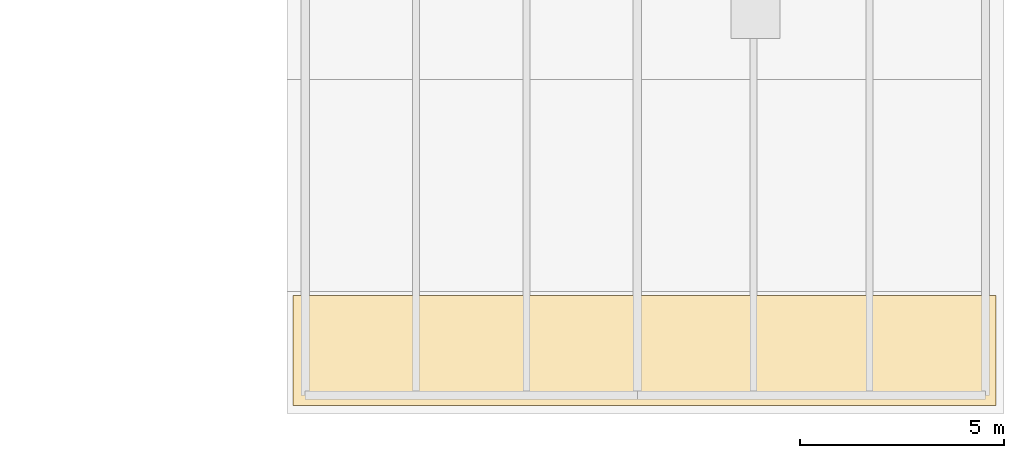
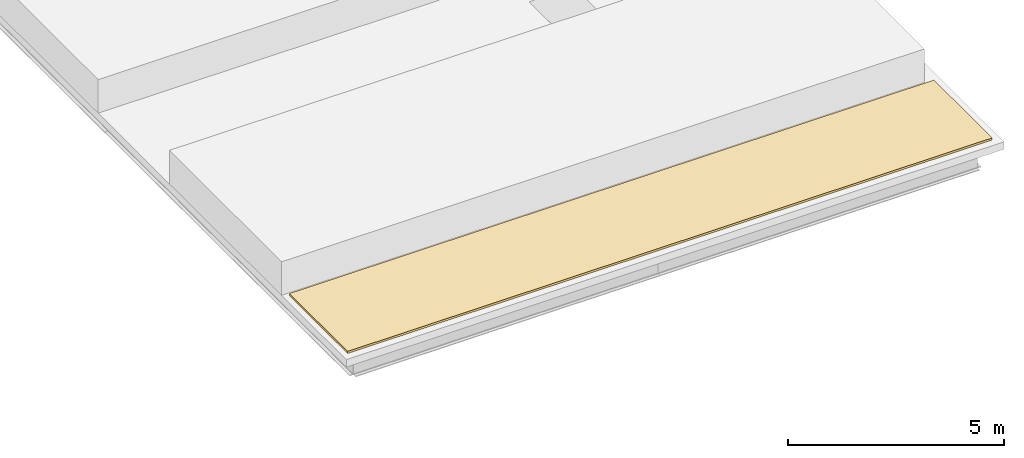
# One storey, part 30 of 30: 1 covering.
"""IFC4 building model written with IfcOpenShell, lengths in metres."""

from ifc_helpers import new_model, si_unit, direction, frame, origin, place, context, subcontext, project, spatial, polyline, outline, extrude, material, layer, layer_set, type_object, element, save


model = new_model("IFC4")

# Units and contexts
model_context = context("Model", 3, precision=1e-05, world=origin(), true_north=direction((0.0, 1.0)))
body_context = subcontext(model_context, "Body", "Model", "MODEL_VIEW")
ifc_project = project(units=[si_unit("LENGTHUNIT", "METRE"), si_unit("AREAUNIT", "SQUARE_METRE"), si_unit("VOLUMEUNIT", "CUBIC_METRE"), si_unit("PLANEANGLEUNIT", "RADIAN"), si_unit("MASSUNIT", "GRAM", prefix="KILO")], contexts=[model_context])

# Site, building, storey
site_placement = place(None, origin())
site = spatial("IfcSite", under=ifc_project, at=site_placement, CompositionType="ELEMENT")
building_placement = place(site_placement, origin())
building = spatial("IfcBuilding", under=site, at=building_placement, Name="Noeulbin Bourse Tower", CompositionType="ELEMENT")
storey_placement = place(building_placement, frame((0.0, 0.0, 26.5)))
storey = spatial("IfcBuildingStorey", under=building, at=storey_placement, Name="L06", CompositionType="ELEMENT", Elevation=26.5)

# Covering
ifc_material = material(Name="TPO Insulated Waterproofing Membrane")
ifc_layer = layer(ifc_material, 0.06005859375)
ifc_layer_set = layer_set([ifc_layer], Name="TPO Insulated Waterproofing Membrane")
covering_type = type_object("IfcCoveringType", Name="COV-ROOF-MEM", PredefinedType="ROOFING", material=ifc_layer_set)
covering_placement = place(storey_placement, origin())
element("IfcCovering", 1, at=covering_placement, inside=storey, type_object=covering_type, Name="Market Hall Roof Waterproofing Membrane", PredefinedType="ROOFING", context=body_context, shape_type="SweptSolid", body=[
    extrude(outline(polyline([(60.14990234375, 3.199951171875), (77.39990234375, 3.199951171875), (77.39990234375, 5.89990234375), (60.14990234375, 5.89990234375), (60.14990234375, 3.199951171875)])), origin(), (0.0, 0.0, 1.0), 0.06005859375),
])

save(model, "model.ifc")
